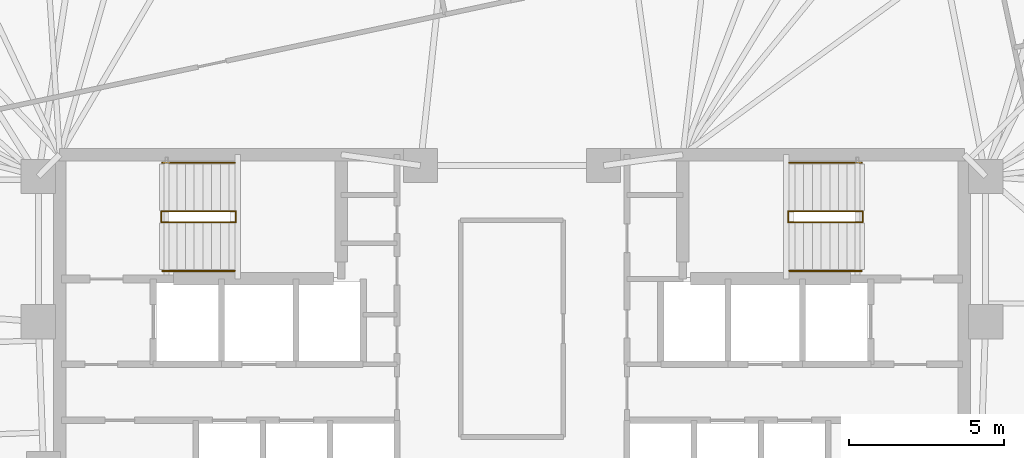
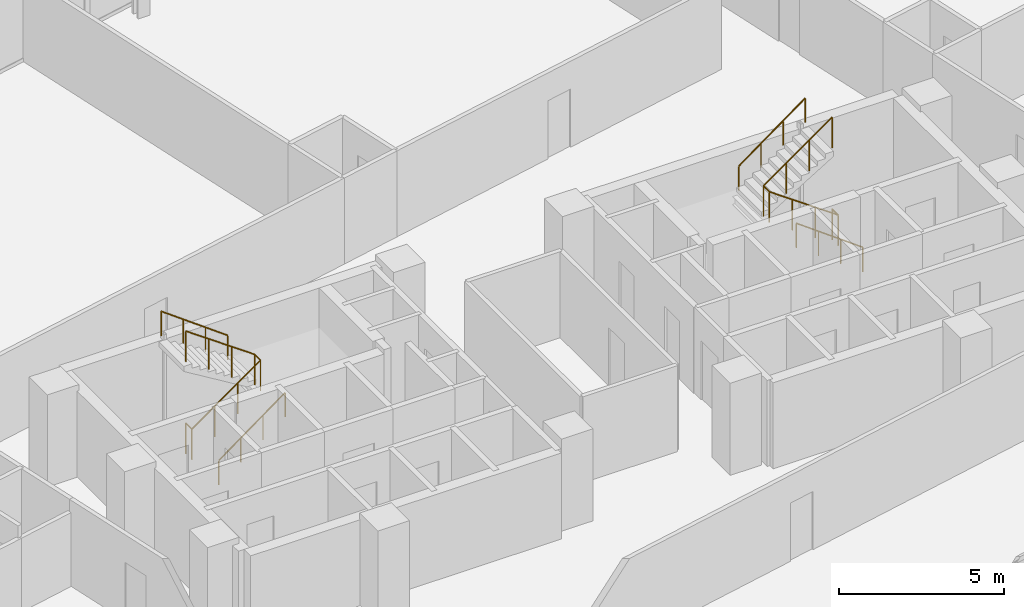
# One storey, part 19 of 19: 6 railings.
"""IFC4 building model written with IfcOpenShell, lengths in metres."""

import ifcopenshell
import ifcopenshell.guid

model = None  # the IFC model being written
_history = None  # IfcOwnerHistory: only IFC2X3 demands one
_inside = {}  # id of a spatial element -> (the spatial element, [elements in it])
_under = {}  # id of a project, library or spatial element -> (it, [spatial elements below it])
_declared = {}  # id of a project -> (the project, [libraries it declares])
_typed = {}  # id of a type object -> (the type object, [elements of that type])
_made_of = {}  # id of a material, layer set ... -> (it, [elements and type objects made of it])


def new_model(schema):
    """Start an empty IFC model of exactly this schema.

    Asked for "IFC4X3", IfcOpenShell would pick the latest addendum, in which some entities
    have other attributes; the version numbers below select the first issue.
    IFC2X3 requires an IfcOwnerHistory on every rooted entity: one is made here for all.
    """
    global model, _history
    if schema == "IFC4X3":
        model = ifcopenshell.file(schema_version=(4, 3, 0, 0))
    else:
        model = ifcopenshell.file(schema=schema)
    _inside.clear()
    _under.clear()
    _declared.clear()
    _typed.clear()
    _made_of.clear()
    _history = None
    if model.schema == "IFC2X3":
        org = make("IfcOrganization", Name="unknown")
        user = make(
            "IfcPersonAndOrganization",
            ThePerson=make("IfcPerson", FamilyName="unknown"),
            TheOrganization=org,
        )
        app = make(
            "IfcApplication",
            ApplicationDeveloper=org,
            Version="unknown",
            ApplicationFullName="unknown",
            ApplicationIdentifier="unknown",
        )
        _history = make(
            "IfcOwnerHistory",
            OwningUser=user,
            OwningApplication=app,
            ChangeAction="ADDED",
            CreationDate=0,
        )
    return model


def make(cls, **values):
    """One entity of the class cls with the attributes given. An attribute that is None is left unset."""
    return model.create_entity(
        cls, **{name: value for name, value in values.items() if value is not None}
    )


def rooted(cls, **values):
    """An entity with a GlobalId (a new one), such as an element, a storey or a relation."""
    return make(cls, GlobalId=ifcopenshell.guid.new(), OwnerHistory=_history, **values)


def si_unit(unit_type, name, prefix=None):
    """IfcSIUnit, for example si_unit("LENGTHUNIT", "METRE", prefix="MILLI")."""
    return make("IfcSIUnit", UnitType=unit_type, Prefix=prefix, Name=name)


def assignment(units):
    """IfcUnitAssignment: the units of a project."""
    return None if units is None else make("IfcUnitAssignment", Units=units)


def point(xyz):
    """IfcCartesianPoint."""
    return None if xyz is None else make("IfcCartesianPoint", Coordinates=xyz)


def direction(xyz):
    """IfcDirection."""
    return None if xyz is None else make("IfcDirection", DirectionRatios=xyz)


def frame(location, z_axis=None, x_axis=None):
    """IfcAxis2Placement3D, a coordinate frame: its origin and axes. An axis left out is left unset."""
    return make(
        "IfcAxis2Placement3D",
        Location=point(location),
        Axis=direction(z_axis),
        RefDirection=direction(x_axis),
    )


def frame_2d(location, x_axis=None):
    """IfcAxis2Placement2D, a coordinate frame in the plane: its origin and x axis."""
    return make(
        "IfcAxis2Placement2D", Location=point(location), RefDirection=direction(x_axis)
    )


def origin():
    """The frame at (0, 0, 0) with its axes left unset."""
    return frame((0.0, 0.0, 0.0))


def origin_2d():
    """The frame at (0, 0) in the plane with its x axis left unset."""
    return frame_2d((0.0, 0.0))


def place(relative_to, where):
    """IfcLocalPlacement: puts the frame where relative to a parent placement (None: the world)."""
    return make(
        "IfcLocalPlacement", PlacementRelTo=relative_to, RelativePlacement=where
    )


def context(
    kind, dimensions, precision=None, world=None, true_north=None, identifier=None
):
    """IfcGeometricRepresentationContext, for example the 3D "Model" context."""
    return make(
        "IfcGeometricRepresentationContext",
        ContextIdentifier=identifier,
        ContextType=kind,
        CoordinateSpaceDimension=dimensions,
        Precision=precision,
        WorldCoordinateSystem=world,
        TrueNorth=true_north,
    )


def subcontext(parent, identifier, kind, view, scale=None):
    """IfcGeometricRepresentationSubContext, for example "Body" below "Model"."""
    return make(
        "IfcGeometricRepresentationSubContext",
        ContextIdentifier=identifier,
        ContextType=kind,
        ParentContext=parent,
        TargetScale=scale,
        TargetView=view,
    )


def project(units=None, contexts=None):
    """IfcProject with its units and contexts."""
    return rooted(
        "IfcProject",
        Name="project",
        RepresentationContexts=contexts,
        UnitsInContext=assignment(units),
    )


def spatial(cls, under=None, at=None, **own):
    """A site, building, storey or space (cls), placed at a placement, below another one or the project."""
    s = rooted(cls, ObjectPlacement=at, **own)
    if under is not None:
        _under.setdefault(under.id(), (under, []))[1].append(s)
    return s


def profile(cls, at=None, kind="AREA", **sizes):
    """A parametric profile (cls). Its sizes go by their IFC names, for example OverallWidth=200.0."""
    return make(cls, ProfileType=kind, Position=at, **sizes)


def circle(**sizes):
    """IfcCircleProfileDef."""
    return profile("IfcCircleProfileDef", **sizes)


def extrude(swept, where, along, depth):
    """IfcExtrudedAreaSolid: the profile swept, set in the frame where, extruded along a direction by depth."""
    return make(
        "IfcExtrudedAreaSolid",
        SweptArea=swept,
        Position=where,
        ExtrudedDirection=direction(along),
        Depth=depth,
    )


def shape(context_of_items, identifier, shape_type, items):
    """IfcShapeRepresentation: the items that make up one representation, for example the "Body"."""
    return make(
        "IfcShapeRepresentation",
        ContextOfItems=context_of_items,
        RepresentationIdentifier=identifier,
        RepresentationType=shape_type,
        Items=items,
    )


def material(Name=None, Category=None):
    """IfcMaterial."""
    return make("IfcMaterial", Name=Name, Category=Category)


def made_of(thing, what):
    """Note that an element or type object is made of a material, layer set ...; save() writes the relation."""
    if what is not None:
        _made_of.setdefault(what.id(), (what, []))[1].append(thing)
    return thing


def type_object(cls, material=None, **own):
    """A type object (cls), such as IfcWallType, which elements share."""
    return made_of(rooted(cls, **own), material)


def element(
    cls,
    number,
    at=None,
    inside=None,
    cuts=None,
    type_object=None,
    material=None,
    context=None,
    identifier="Body",
    shape_type=None,
    held_by="IfcProductDefinitionShape",
    body=None,
    shapes=None,
    **own,
):
    """One element of the class cls, such as IfcWall. Its Tag is "e" and its number.

    at: its placement. inside: the storey or other place that contains it. cuts: it is an
    opening in that element (IfcRelVoidsElement). A single representation is given by context,
    identifier, shape_type and body (its items); several are given by shapes. held_by: the class
    of the entity that holds the representations. save() writes the other relations.
    """
    e = rooted(cls, Tag="e%d" % number, ObjectPlacement=at, **own)
    if body is not None:
        shapes = [shape(context, identifier, shape_type, body)]
    if shapes is not None:
        e.Representation = make(held_by, Representations=shapes)
    if inside is not None:
        _inside.setdefault(inside.id(), (inside, []))[1].append(e)
    if cuts is not None:
        rooted(
            "IfcRelVoidsElement", RelatingBuildingElement=cuts, RelatedOpeningElement=e
        )
    if type_object is not None:
        _typed.setdefault(type_object.id(), (type_object, []))[1].append(e)
    return made_of(e, material)


def aggregate(whole, parts):
    """IfcRelAggregates: a whole, such as a stair, and the parts it consists of."""
    return rooted("IfcRelAggregates", RelatingObject=whole, RelatedObjects=parts)


def save(model, path):
    """Write the relations noted so far, then the file.

    IfcRelAggregates (storeys below a building ...), IfcRelContainedInSpatialStructure (elements
    in a storey), IfcRelDefinesByType, IfcRelAssociatesMaterial and IfcRelDeclares: one each for
    every whole, place, type object, material and project.
    """
    for whole, parts in _under.values():
        aggregate(whole, parts)
    for where, things in _inside.values():
        rooted(
            "IfcRelContainedInSpatialStructure",
            RelatedElements=things,
            RelatingStructure=where,
        )
    for kind, things in _typed.values():
        rooted("IfcRelDefinesByType", RelatedObjects=things, RelatingType=kind)
    for what, things in _made_of.values():
        rooted("IfcRelAssociatesMaterial", RelatedObjects=things, RelatingMaterial=what)
    for by, libraries in _declared.values():
        rooted("IfcRelDeclares", RelatingContext=by, RelatedDefinitions=libraries)
    model.write(path)


model = new_model("IFC4")

# Units and contexts
model_context = context("Model", 3, precision=1e-05, world=origin(), true_north=direction((0.0, 1.0)))
body_context = subcontext(model_context, "Body", "Model", "MODEL_VIEW")
ifc_project = project(units=[si_unit("LENGTHUNIT", "METRE"), si_unit("AREAUNIT", "SQUARE_METRE"), si_unit("VOLUMEUNIT", "CUBIC_METRE"), si_unit("PLANEANGLEUNIT", "RADIAN"), si_unit("MASSUNIT", "GRAM", prefix="KILO")], contexts=[model_context])

# Site, building, storey
site_placement = place(None, origin())
site = spatial("IfcSite", under=ifc_project, at=site_placement, CompositionType="ELEMENT")
building_placement = place(site_placement, origin())
building = spatial("IfcBuilding", under=site, at=building_placement, Name="Menara Jurai Vektor", CompositionType="ELEMENT")
storey_placement = place(building_placement, frame((0.0, 0.0, 192.199951171875)))
storey = spatial("IfcBuildingStorey", under=building, at=storey_placement, Name="L50", CompositionType="ELEMENT", Elevation=192.199951171875)

# Railings
ifc_material_1 = material(Name="Painted Galvanised Steel Balustrade", Category="steel")
railing_type_1 = type_object("IfcRailingType", Name="RAIL-STAIR-GUARD", PredefinedType="GUARDRAIL", material=ifc_material_1)
railing_1_placement = place(storey_placement, frame((-11.2900390625, 3.780029296875, 0.0)))
element("IfcRailing", 1, at=railing_1_placement, inside=storey, type_object=railing_type_1, Name="ST1 Stair Guardrail 1 L50", PredefinedType="GUARDRAIL", context=body_context, shape_type="SweptSolid", body=[
    extrude(circle(Radius=0.02392578125, at=origin_2d()), frame((0.0, 0.0, 1.1259765625), z_axis=(0.0, -1.0, 0.0), x_axis=(1.0, 0.0, 0.0)), (0.0, 0.0, 1.0), 0.360107421875),
    extrude(circle(Radius=0.02392578125, at=origin_2d()), frame((0.0, -0.360107421875, 1.1259765625), z_axis=(0.816048950856, 0.0, 0.577982793694), x_axis=(0.0, 1.0, 0.0)), (0.0, 0.0, 1.0), 2.941162109375),
    extrude(circle(Radius=0.02392578125, at=origin_2d()), frame((2.400146484375, -0.360107421875, 2.82568359375), z_axis=(0.0, 1.0, 0.0), x_axis=(-1.0, 0.0, 0.0)), (0.0, 0.0, 1.0), 0.360107421875),
    extrude(circle(Radius=0.02392578125, at=origin_2d()), frame((2.400146484375, 0.0, 2.82568359375), z_axis=(-0.816009799251, 0.0, 0.57803806754), x_axis=(0.0, -1.0, 0.0)), (0.0, 0.0, 1.0), 2.94140625),
    extrude(circle(Radius=0.02099609375, at=origin_2d()), origin(), (0.0, 0.0, 1.0), 1.101806640625),
    extrude(circle(Radius=0.02099609375, at=origin_2d()), frame((0.0, -0.360107421875, 0.0)), (0.0, 0.0, 1.0), 1.101806640625),
    extrude(circle(Radius=0.02099609375, at=origin_2d()), frame((0.800048828125, -0.360107421875, 0.566650390625)), (0.0, 0.0, 1.0), 1.101806640625),
    extrude(circle(Radius=0.02099609375, at=origin_2d()), frame((1.60009765625, -0.360107421875, 1.13330078125)), (0.0, 0.0, 1.0), 1.101806640625),
    extrude(circle(Radius=0.02099609375, at=origin_2d()), frame((2.400146484375, -0.360107421875, 1.699951171875)), (0.0, 0.0, 1.0), 1.101806640625),
    extrude(circle(Radius=0.02099609375, at=origin_2d()), frame((2.400146484375, 0.0, 1.699951171875)), (0.0, 0.0, 1.0), 1.101806640625),
    extrude(circle(Radius=0.02099609375, at=origin_2d()), frame((1.60009765625, 0.0, 2.2666015625)), (0.0, 0.0, 1.0), 1.101806640625),
    extrude(circle(Radius=0.02099609375, at=origin_2d()), frame((0.800048828125, 0.0, 2.83349609375)), (0.0, 0.0, 1.0), 1.101806640625),
    extrude(circle(Radius=0.02099609375, at=origin_2d()), frame((0.0, 0.0, 3.400146484375)), (0.0, 0.0, 1.0), 1.101806640625),
])
railing_2_placement = place(storey_placement, frame((11.2900390625, 3.780029296875, 0.0)))
element("IfcRailing", 2, at=railing_2_placement, inside=storey, type_object=railing_type_1, Name="ST2 Stair Guardrail 1 L50", PredefinedType="GUARDRAIL", context=body_context, shape_type="SweptSolid", body=[
    extrude(circle(Radius=0.02392578125, at=origin_2d()), frame((0.0, 0.0, 1.1259765625), z_axis=(0.0, -1.0, 0.0), x_axis=(1.0, 0.0, 0.0)), (0.0, 0.0, 1.0), 0.360107421875),
    extrude(circle(Radius=0.02392578125, at=origin_2d()), frame((0.0, -0.360107421875, 1.1259765625), z_axis=(-0.816048950856, 0.0, 0.577982793694), x_axis=(0.0, -1.0, 0.0)), (0.0, 0.0, 1.0), 2.941162109375),
    extrude(circle(Radius=0.02392578125, at=origin_2d()), frame((-2.400146484375, -0.360107421875, 2.82568359375), z_axis=(0.0, 1.0, 0.0), x_axis=(-1.0, 0.0, 0.0)), (0.0, 0.0, 1.0), 0.360107421875),
    extrude(circle(Radius=0.02392578125, at=origin_2d()), frame((-2.400146484375, 0.0, 2.82568359375), z_axis=(0.816009799251, 0.0, 0.57803806754), x_axis=(0.0, 1.0, 0.0)), (0.0, 0.0, 1.0), 2.94140625),
    extrude(circle(Radius=0.02099609375, at=origin_2d()), origin(), (0.0, 0.0, 1.0), 1.101806640625),
    extrude(circle(Radius=0.02099609375, at=origin_2d()), frame((0.0, -0.360107421875, 0.0)), (0.0, 0.0, 1.0), 1.101806640625),
    extrude(circle(Radius=0.02099609375, at=origin_2d()), frame((-0.800048828125, -0.360107421875, 0.566650390625)), (0.0, 0.0, 1.0), 1.101806640625),
    extrude(circle(Radius=0.02099609375, at=origin_2d()), frame((-1.60009765625, -0.360107421875, 1.13330078125)), (0.0, 0.0, 1.0), 1.101806640625),
    extrude(circle(Radius=0.02099609375, at=origin_2d()), frame((-2.400146484375, -0.360107421875, 1.699951171875)), (0.0, 0.0, 1.0), 1.101806640625),
    extrude(circle(Radius=0.02099609375, at=origin_2d()), frame((-2.400146484375, 0.0, 1.699951171875)), (0.0, 0.0, 1.0), 1.101806640625),
    extrude(circle(Radius=0.02099609375, at=origin_2d()), frame((-1.60009765625, 0.0, 2.2666015625)), (0.0, 0.0, 1.0), 1.101806640625),
    extrude(circle(Radius=0.02099609375, at=origin_2d()), frame((-0.800048828125, 0.0, 2.83349609375)), (0.0, 0.0, 1.0), 1.101806640625),
    extrude(circle(Radius=0.02099609375, at=origin_2d()), frame((0.0, 0.0, 3.400146484375)), (0.0, 0.0, 1.0), 1.101806640625),
])
ifc_material_2 = material(Name="Brushed Stainless Steel Handrail", Category="steel")
railing_type_2 = type_object("IfcRailingType", Name="RAIL-STAIR-HAND", PredefinedType="HANDRAIL", material=ifc_material_2)
railing_3_placement = place(storey_placement, frame((-11.25, 1.860107421875, 0.0)))
element("IfcRailing", 3, at=railing_3_placement, inside=storey, type_object=railing_type_2, Name="ST1 Stair Handrail 1 L50", PredefinedType="HANDRAIL", context=body_context, shape_type="SweptSolid", body=[
    extrude(circle(Radius=0.02392578125, at=origin_2d()), frame((0.0, 0.0, 0.89599609375), z_axis=(0.806642406755, 0.0, 0.591039785145), x_axis=(0.0, 1.0, 0.0)), (0.0, 0.0, 1.0), 2.876220703125),
    extrude(circle(Radius=0.02099609375, at=origin_2d()), origin(), (0.0, 0.0, 1.0), 0.871826171875),
    extrude(circle(Radius=0.02099609375, at=origin_2d()), frame((0.7734375, 0.0, 0.566650390625)), (0.0, 0.0, 1.0), 0.871826171875),
    extrude(circle(Radius=0.02099609375, at=origin_2d()), frame((1.546630859375, 0.0, 1.13330078125)), (0.0, 0.0, 1.0), 0.871826171875),
    extrude(circle(Radius=0.02099609375, at=origin_2d()), frame((2.320068359375, 0.0, 1.699951171875)), (0.0, 0.0, 1.0), 0.871826171875),
])
railing_4_placement = place(storey_placement, frame((-8.929931640625, 5.340087890625, 1.699951171875)))
element("IfcRailing", 4, at=railing_4_placement, inside=storey, type_object=railing_type_2, Name="ST1 Stair Handrail 2 L50", PredefinedType="HANDRAIL", context=body_context, shape_type="SweptSolid", body=[
    extrude(circle(Radius=0.02392578125, at=origin_2d()), frame((0.0, 0.0, 0.89599609375), z_axis=(-0.806601938303, 0.0, 0.591095011927), x_axis=(0.0, -1.0, 0.0)), (0.0, 0.0, 1.0), 2.87646484375),
    extrude(circle(Radius=0.02099609375, at=origin_2d()), origin(), (0.0, 0.0, 1.0), 0.871826171875),
    extrude(circle(Radius=0.02099609375, at=origin_2d()), frame((-0.7734375, 0.0, 0.566650390625)), (0.0, 0.0, 1.0), 0.871826171875),
    extrude(circle(Radius=0.02099609375, at=origin_2d()), frame((-1.546630859375, 0.0, 1.133544921875)), (0.0, 0.0, 1.0), 0.871826171875),
    extrude(circle(Radius=0.02099609375, at=origin_2d()), frame((-2.320068359375, 0.0, 1.7001953125)), (0.0, 0.0, 1.0), 0.871826171875),
])
railing_5_placement = place(storey_placement, frame((11.25, 1.860107421875, 0.0)))
element("IfcRailing", 5, at=railing_5_placement, inside=storey, type_object=railing_type_2, Name="ST2 Stair Handrail 1 L50", PredefinedType="HANDRAIL", context=body_context, shape_type="SweptSolid", body=[
    extrude(circle(Radius=0.02392578125, at=origin_2d()), frame((0.0, 0.0, 0.89599609375), z_axis=(-0.806642406755, 0.0, 0.591039785145), x_axis=(0.0, -1.0, 0.0)), (0.0, 0.0, 1.0), 2.876220703125),
    extrude(circle(Radius=0.02099609375, at=origin_2d()), origin(), (0.0, 0.0, 1.0), 0.871826171875),
    extrude(circle(Radius=0.02099609375, at=origin_2d()), frame((-0.7734375, 0.0, 0.566650390625)), (0.0, 0.0, 1.0), 0.871826171875),
    extrude(circle(Radius=0.02099609375, at=origin_2d()), frame((-1.546630859375, 0.0, 1.13330078125)), (0.0, 0.0, 1.0), 0.871826171875),
    extrude(circle(Radius=0.02099609375, at=origin_2d()), frame((-2.320068359375, 0.0, 1.699951171875)), (0.0, 0.0, 1.0), 0.871826171875),
])
railing_6_placement = place(storey_placement, frame((8.929931640625, 5.340087890625, 1.699951171875)))
element("IfcRailing", 6, at=railing_6_placement, inside=storey, type_object=railing_type_2, Name="ST2 Stair Handrail 2 L50", PredefinedType="HANDRAIL", context=body_context, shape_type="SweptSolid", body=[
    extrude(circle(Radius=0.02392578125, at=origin_2d()), frame((0.0, 0.0, 0.89599609375), z_axis=(0.806601938303, 0.0, 0.591095011927), x_axis=(0.0, 1.0, 0.0)), (0.0, 0.0, 1.0), 2.87646484375),
    extrude(circle(Radius=0.02099609375, at=origin_2d()), origin(), (0.0, 0.0, 1.0), 0.871826171875),
    extrude(circle(Radius=0.02099609375, at=origin_2d()), frame((0.7734375, 0.0, 0.566650390625)), (0.0, 0.0, 1.0), 0.871826171875),
    extrude(circle(Radius=0.02099609375, at=origin_2d()), frame((1.546630859375, 0.0, 1.133544921875)), (0.0, 0.0, 1.0), 0.871826171875),
    extrude(circle(Radius=0.02099609375, at=origin_2d()), frame((2.320068359375, 0.0, 1.7001953125)), (0.0, 0.0, 1.0), 0.871826171875),
])

save(model, "model.ifc")
